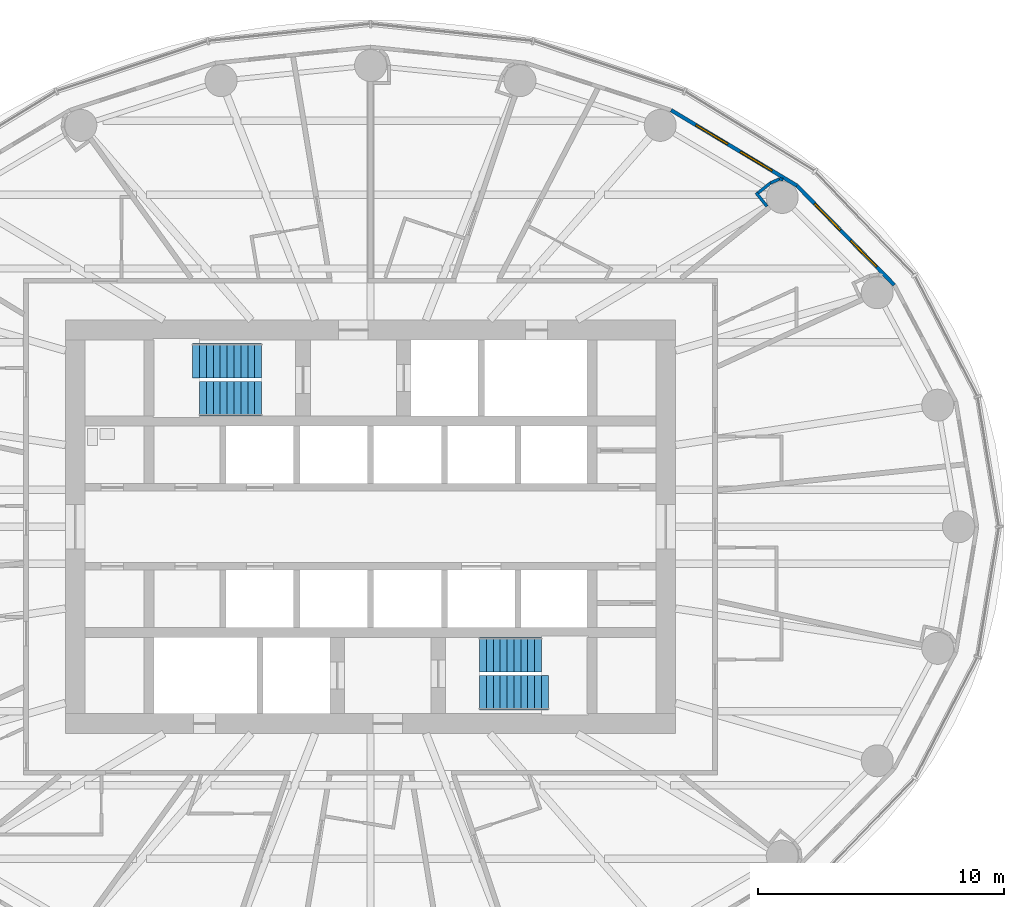
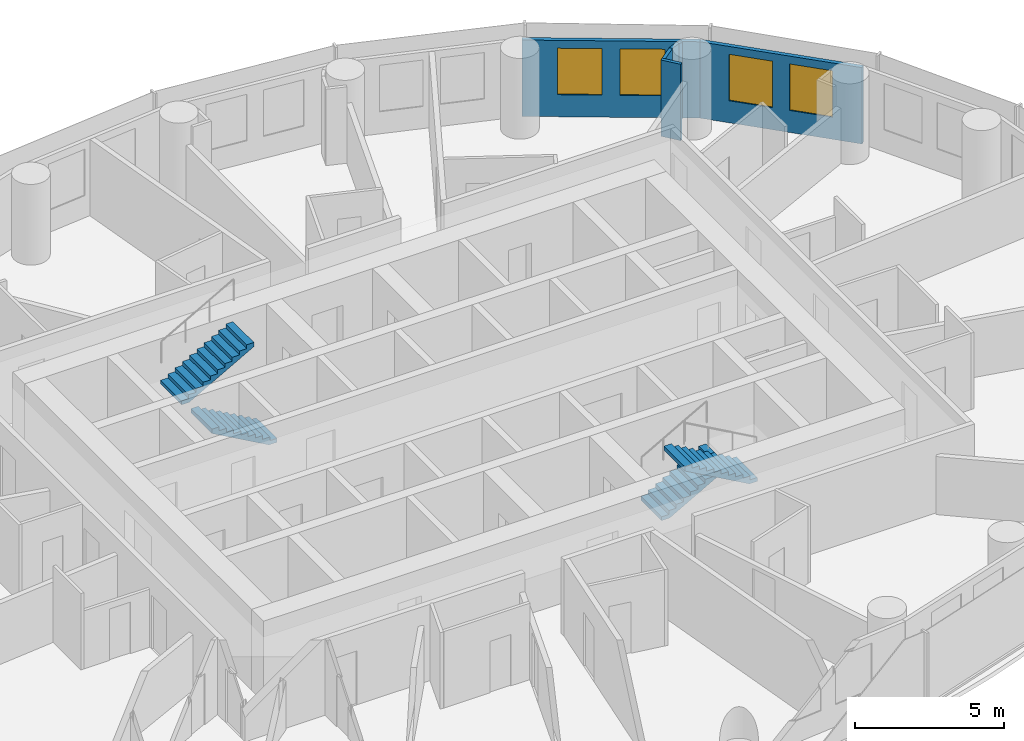
# One storey, part 12 of 14: 6 walls, 4 stair flights, 4 windows, 4 openings, 2 elements without a shape of their own.
"""IFC4 building model written with IfcOpenShell, lengths in metres."""

from ifc_helpers import new_model, si_unit, direction, frame, frame_2d, origin, place, context, subcontext, project, spatial, polyline, rectangle, outline, extrude, material, layer, layer_set, type_object, element, fill, aggregate, save


model = new_model("IFC4")

# Units and contexts
model_context = context("Model", 3, precision=1e-05, world=origin(), true_north=direction((0.0, 1.0)))
body_context = subcontext(model_context, "Body", "Model", "MODEL_VIEW")
ifc_project = project(units=[si_unit("LENGTHUNIT", "METRE"), si_unit("AREAUNIT", "SQUARE_METRE"), si_unit("VOLUMEUNIT", "CUBIC_METRE"), si_unit("PLANEANGLEUNIT", "RADIAN"), si_unit("MASSUNIT", "GRAM", prefix="KILO")], contexts=[model_context])

# Site, building, storey
site_placement = place(None, origin())
site = spatial("IfcSite", under=ifc_project, at=site_placement, CompositionType="ELEMENT")
building_placement = place(site_placement, origin())
building = spatial("IfcBuilding", under=site, at=building_placement, Name="Hankou Lantern Tower", CompositionType="ELEMENT")
storey_placement = place(building_placement, frame((0.0, 0.0, 108.89990234375)))
storey = spatial("IfcBuildingStorey", under=building, at=storey_placement, Name="L27", CompositionType="ELEMENT", Elevation=108.89990234375)

# Wall, openings, windows
ifc_material_1 = material(Name="Aluminium spandrel panel on steel studs", Category="steel")
ifc_layer_1 = layer(ifc_material_1, 0.14990234375)
ifc_layer_set_1 = layer_set([ifc_layer_1], Name="Aluminium spandrel panel on steel studs")
wall_type_1 = type_object("IfcWallType", Name="EW1 INNER SKIN WALL 150", PredefinedType="ELEMENTEDWALL", material=ifc_layer_set_1)
wall_1_placement = place(storey_placement, frame((21.287353515625, 9.83203125, 0.0), z_axis=(0.0, 0.0, 1.0), x_axis=(-0.700136650834, 0.714008872605, 0.0)))
wall_1 = element("IfcWall", 1, at=wall_1_placement, inside=storey, type_object=wall_type_1, Name="Inner skin R03-R04 L27", PredefinedType="ELEMENTEDWALL", context=body_context, shape_type="SweptSolid", body=[
    extrude(rectangle(XDim=5.6494140625, YDim=0.14990234375, at=frame_2d((2.82470703125, 0.0))), origin(), (0.0, 0.0, 1.0), 3.1201171875),
])
opening_1_placement = place(wall_1_placement, frame((1.024658203125, 0.0, 0.89990234375)))
opening_1 = element("IfcOpeningElement", 2, at=opening_1_placement, cuts=wall_1, Name="Opening W2", PredefinedType="OPENING", context=body_context, shape_type="SweptSolid", body=[
    extrude(rectangle(XDim=1.5, YDim=1.89990234375, at=frame_2d((0.75, 0.949951171875))), frame((0.0, 0.0849609375, 0.0), z_axis=(0.0, -1.0, 0.0), x_axis=(1.0, 0.0, 0.0)), (0.0, 0.0, 1.0), 0.169921875),
])
opening_2_placement = place(wall_1_placement, frame((3.12451171875, 0.0, 0.89990234375)))
opening_2 = element("IfcOpeningElement", 3, at=opening_2_placement, cuts=wall_1, Name="Opening W2", PredefinedType="OPENING", context=body_context, shape_type="SweptSolid", body=[
    extrude(rectangle(XDim=1.5, YDim=1.89990234375, at=frame_2d((0.75, 0.949951171875))), frame((0.0, 0.0849609375, 0.0), z_axis=(0.0, -1.0, 0.0), x_axis=(1.0, 0.0, 0.0)), (0.0, 0.0, 1.0), 0.169921875),
])
ifc_material_2 = material(Name="Aluminium framed double glazed window", Category="aluminium")
window_type = type_object("IfcWindowType", Name="W2 GUEST ROOM WINDOW 1500X1900", PartitioningType="DOUBLE_PANEL_VERTICAL", PredefinedType="WINDOW", material=ifc_material_2)
window_1_placement = place(opening_1_placement, origin())
window_1 = element("IfcWindow", 4, at=window_1_placement, inside=storey, type_object=window_type, Name="Window R03.1 L27", OverallHeight=1.89990234375, OverallWidth=1.5, PartitioningType="SINGLE_PANEL", PredefinedType="WINDOW", context=body_context, shape_type="SweptSolid", body=[
    extrude(rectangle(XDim=1.5, YDim=1.89990234375, at=frame_2d((0.75, 0.949951171875))), frame((0.0, 0.030029296875, 0.0), z_axis=(0.0, -1.0, 0.0), x_axis=(1.0, 0.0, 0.0)), (0.0, 0.0, 1.0), 0.06005859375),
])
fill(opening_1, window_1)
window_2_placement = place(opening_2_placement, origin())
window_2 = element("IfcWindow", 5, at=window_2_placement, inside=storey, type_object=window_type, Name="Window R03.2 L27", OverallHeight=1.89990234375, OverallWidth=1.5, PartitioningType="SINGLE_PANEL", PredefinedType="WINDOW", context=body_context, shape_type="SweptSolid", body=[
    extrude(rectangle(XDim=1.5, YDim=1.89990234375, at=frame_2d((0.75, 0.949951171875))), frame((0.0, 0.030029296875, 0.0), z_axis=(0.0, -1.0, 0.0), x_axis=(1.0, 0.0, 0.0)), (0.0, 0.0, 1.0), 0.06005859375),
])
fill(opening_2, window_2)

wall_2_placement = place(storey_placement, frame((17.33203125, 13.86572265625, 0.0), z_axis=(0.0, 0.0, 1.0), x_axis=(-0.857308573723, 0.514802884044, 0.0)))
wall_2 = element("IfcWall", 6, at=wall_2_placement, inside=storey, type_object=wall_type_1, Name="Inner skin R04-R05 L27", PredefinedType="ELEMENTEDWALL", context=body_context, shape_type="SweptSolid", body=[
    extrude(rectangle(XDim=5.961181640625, YDim=0.14990234375, at=frame_2d((2.98046875, 0.0))), origin(), (0.0, 0.0, 1.0), 3.1201171875),
])
opening_3_placement = place(wall_2_placement, frame((1.1806640625, 0.0, 0.89990234375)))
opening_3 = element("IfcOpeningElement", 7, at=opening_3_placement, cuts=wall_2, Name="Opening W2", PredefinedType="OPENING", context=body_context, shape_type="SweptSolid", body=[
    extrude(rectangle(XDim=1.5, YDim=1.89990234375, at=frame_2d((0.75, 0.949951171875))), frame((0.0, 0.0849609375, 0.0), z_axis=(0.0, -1.0, 0.0), x_axis=(1.0, 0.0, 0.0)), (0.0, 0.0, 1.0), 0.169921875),
])
opening_4_placement = place(wall_2_placement, frame((3.280517578125, 0.0, 0.89990234375)))
opening_4 = element("IfcOpeningElement", 8, at=opening_4_placement, cuts=wall_2, Name="Opening W2", PredefinedType="OPENING", context=body_context, shape_type="SweptSolid", body=[
    extrude(rectangle(XDim=1.5, YDim=1.89990234375, at=frame_2d((0.75, 0.949951171875))), frame((0.0, 0.0849609375, 0.0), z_axis=(0.0, -1.0, 0.0), x_axis=(1.0, 0.0, 0.0)), (0.0, 0.0, 1.0), 0.169921875),
])
window_3_placement = place(opening_3_placement, origin())
window_3 = element("IfcWindow", 9, at=window_3_placement, inside=storey, type_object=window_type, Name="Window R04.1 L27", OverallHeight=1.89990234375, OverallWidth=1.5, PartitioningType="SINGLE_PANEL", PredefinedType="WINDOW", context=body_context, shape_type="SweptSolid", body=[
    extrude(rectangle(XDim=1.5, YDim=1.89990234375, at=frame_2d((0.75, 0.949951171875))), frame((0.0, 0.030029296875, 0.0), z_axis=(0.0, -1.0, 0.0), x_axis=(1.0, 0.0, 0.0)), (0.0, 0.0, 1.0), 0.06005859375),
])
fill(opening_3, window_3)
window_4_placement = place(opening_4_placement, origin())
window_4 = element("IfcWindow", 10, at=window_4_placement, inside=storey, type_object=window_type, Name="Window R04.2 L27", OverallHeight=1.89990234375, OverallWidth=1.5, PartitioningType="SINGLE_PANEL", PredefinedType="WINDOW", context=body_context, shape_type="SweptSolid", body=[
    extrude(rectangle(XDim=1.5, YDim=1.89990234375, at=frame_2d((0.75, 0.949951171875))), frame((0.0, 0.030029296875, 0.0), z_axis=(0.0, -1.0, 0.0), x_axis=(1.0, 0.0, 0.0)), (0.0, 0.0, 1.0), 0.06005859375),
])
fill(opening_4, window_4)

# Walls
ifc_material_3 = material(Name="Masonry lightweight concrete block", Category="masonry")
ifc_layer_2 = layer(ifc_material_3, 0.1201171875)
ifc_layer_set_2 = layer_set([ifc_layer_2], Name="Masonry lightweight concrete block")
wall_type_2 = type_object("IfcWallType", Name="IW4 PARTITION 120", PredefinedType="PARTITIONING", material=ifc_layer_set_2)
wall_3_placement = place(storey_placement, frame((16.116943359375, 13.021728515625, 0.0), z_axis=(0.0, 0.0, 1.0), x_axis=(-0.62465344249, 0.780902091677, 0.0)))
element("IfcWall", 11, at=wall_3_placement, inside=storey, type_object=wall_type_2, Name="Column casing R04 return", PredefinedType="PARTITIONING", context=body_context, shape_type="SweptSolid", body=[
    extrude(rectangle(XDim=0.715576171875, YDim=0.1201171875, at=frame_2d((0.35791015625, 0.0))), origin(), (0.0, 0.0, 1.0), 3.1201171875),
])
wall_4_placement = place(storey_placement, frame((15.754150390625, 13.5712890625, 0.0), z_axis=(0.0, 0.0, 1.0), x_axis=(0.780905453553, 0.624649239663, 0.0)))
element("IfcWall", 12, at=wall_4_placement, inside=storey, type_object=wall_type_2, Name="Column casing R04", PredefinedType="PARTITIONING", context=body_context, shape_type="SweptSolid", body=[
    extrude(rectangle(XDim=0.64990234375, YDim=0.1201171875, at=frame_2d((0.324951171875, 0.0))), origin(), (0.0, 0.0, 1.0), 3.1201171875),
])
wall_5_placement = place(storey_placement, frame((16.26171875, 13.977294921875, 0.0), z_axis=(0.0, 0.0, 1.0), x_axis=(0.915985403703, 0.401211590314, 0.0)))
element("IfcWall", 13, at=wall_5_placement, inside=storey, type_object=wall_type_2, Name="Column casing R04", PredefinedType="PARTITIONING", context=body_context, shape_type="SweptSolid", body=[
    extrude(rectangle(XDim=0.391357421875, YDim=0.1201171875, at=frame_2d((0.19580078125, 0.0))), origin(), (0.0, 0.0, 1.0), 3.1201171875),
])
wall_6_placement = place(storey_placement, frame((16.6201171875, 14.13427734375, 0.0), z_axis=(0.0, 0.0, 1.0), x_axis=(0.993941871493, -0.109907033867, 0.0)))
element("IfcWall", 14, at=wall_6_placement, inside=storey, type_object=wall_type_2, Name="Column casing R04", PredefinedType="PARTITIONING", context=body_context, shape_type="SweptSolid", body=[
    extrude(rectangle(XDim=0.1533203125, YDim=0.1201171875, at=frame_2d((0.07666015625, 0.0))), origin(), (0.0, 0.0, 1.0), 3.1201171875),
])

# Stair, stair flight
ifc_material_4 = material(Name="Concrete C40", Category="concrete")
stair_type = type_object("IfcStairType", Name="ST33 CORE STAIR 3300 RISE", PredefinedType="HALF_TURN_STAIR", material=ifc_material_4)
stair_1_placement = place(storey_placement, origin())
stair_1 = element("IfcStair", 15, at=stair_1_placement, inside=storey, type_object=stair_type, Name="Stair STA L27", PredefinedType="HALF_TURN_STAIR")
ifc_material_5 = material(Name="Concrete C40", Category="concrete")
stair_flight_type_1 = type_object("IfcStairFlightType", Name="CF10 CORE STAIR FLIGHT 1400 X 10 RISERS", PredefinedType="STRAIGHT", material=ifc_material_5)
stair_flight_1_placement = place(storey_placement, frame((-4.429931640625, 5.199951171875, 0.0), z_axis=(0.0, 0.0, 1.0), x_axis=(-1.0, 0.0, 0.0)))
stair_flight_1 = element("IfcStairFlight", 16, at=stair_flight_1_placement, type_object=stair_flight_type_1, Name="STA flight 1", NumberOfRisers=10, NumberOfTreads=9, PredefinedType="STRAIGHT", RiserHeight=0.157142857, TreadLength=0.28, context=body_context, shape_type="SweptSolid", body=[
    extrude(outline(polyline([(0.0, 0.0), (0.0, 0.1572265625), (0.280029296875, 0.1572265625), (0.280029296875, 0.314208984375), (0.56005859375, 0.314208984375), (0.56005859375, 0.471435546875), (0.840087890625, 0.471435546875), (0.840087890625, 0.628662109375), (1.1201171875, 0.628662109375), (1.1201171875, 0.78564453125), (1.39990234375, 0.78564453125), (1.39990234375, 0.94287109375), (1.679931640625, 0.94287109375), (1.679931640625, 1.10009765625), (1.9599609375, 1.10009765625), (1.9599609375, 1.257080078125), (2.239990234375, 1.257080078125), (2.239990234375, 1.414306640625), (2.52001953125, 1.414306640625), (2.52001953125, 1.571533203125), (2.52001953125, 1.242431640625), (0.306396484375, 0.0), (0.0, 0.0)])), frame((0.0, 0.699951171875, 0.0), z_axis=(0.0, -1.0, 0.0), x_axis=(1.0, 0.0, 0.0)), (0.0, 0.0, 1.0), 1.39990234375),
])

stair_2_placement = place(storey_placement, origin())
stair_2 = element("IfcStair", 17, at=stair_2_placement, inside=storey, type_object=stair_type, Name="Stair STB L27", PredefinedType="HALF_TURN_STAIR")
stair_flight_2_placement = place(storey_placement, frame((4.429931640625, -5.199951171875, 0.0), z_axis=(0.0, 0.0, 1.0), x_axis=(1.0, 0.0, 0.0)))
stair_flight_2 = element("IfcStairFlight", 18, at=stair_flight_2_placement, type_object=stair_flight_type_1, Name="STB flight 1", NumberOfRisers=10, NumberOfTreads=9, PredefinedType="STRAIGHT", RiserHeight=0.157142857, TreadLength=0.28, context=body_context, shape_type="SweptSolid", body=[
    extrude(outline(polyline([(0.0, 0.0), (0.0, 0.1572265625), (0.280029296875, 0.1572265625), (0.280029296875, 0.314208984375), (0.56005859375, 0.314208984375), (0.56005859375, 0.471435546875), (0.840087890625, 0.471435546875), (0.840087890625, 0.628662109375), (1.1201171875, 0.628662109375), (1.1201171875, 0.78564453125), (1.39990234375, 0.78564453125), (1.39990234375, 0.94287109375), (1.679931640625, 0.94287109375), (1.679931640625, 1.10009765625), (1.9599609375, 1.10009765625), (1.9599609375, 1.257080078125), (2.239990234375, 1.257080078125), (2.239990234375, 1.414306640625), (2.52001953125, 1.414306640625), (2.52001953125, 1.571533203125), (2.52001953125, 1.242431640625), (0.306396484375, 0.0), (0.0, 0.0)])), frame((0.0, 0.699951171875, 0.0), z_axis=(0.0, -1.0, 0.0), x_axis=(1.0, 0.0, 0.0)), (0.0, 0.0, 1.0), 1.39990234375),
])

# Stair flight
ifc_material_6 = material(Name="Concrete C40", Category="concrete")
stair_flight_type_2 = type_object("IfcStairFlightType", Name="CF11 CORE STAIR FLIGHT 1400 X 11 RISERS", PredefinedType="STRAIGHT", material=ifc_material_6)
stair_flight_3_placement = place(storey_placement, frame((-7.22998046875, 6.75, 1.571533203125), z_axis=(0.0, 0.0, 1.0), x_axis=(1.0, 0.0, 0.0)))
stair_flight_3 = element("IfcStairFlight", 19, at=stair_flight_3_placement, type_object=stair_flight_type_2, Name="STA flight 2", NumberOfRisers=11, NumberOfTreads=10, PredefinedType="STRAIGHT", RiserHeight=0.157142857, TreadLength=0.28, context=body_context, shape_type="SweptSolid", body=[
    extrude(outline(polyline([(0.0, 0.0), (0.0, 0.1572265625), (0.280029296875, 0.1572265625), (0.280029296875, 0.314208984375), (0.56005859375, 0.314208984375), (0.56005859375, 0.471435546875), (0.840087890625, 0.471435546875), (0.840087890625, 0.628662109375), (1.1201171875, 0.628662109375), (1.1201171875, 0.78564453125), (1.39990234375, 0.78564453125), (1.39990234375, 0.94287109375), (1.679931640625, 0.94287109375), (1.679931640625, 1.10009765625), (1.9599609375, 1.10009765625), (1.9599609375, 1.257080078125), (2.239990234375, 1.257080078125), (2.239990234375, 1.414306640625), (2.52001953125, 1.414306640625), (2.52001953125, 1.571533203125), (2.800048828125, 1.571533203125), (2.800048828125, 1.728515625), (2.800048828125, 1.3994140625), (0.306396484375, 0.0), (0.0, 0.0)])), frame((0.0, 0.699951171875, 0.0), z_axis=(0.0, -1.0, 0.0), x_axis=(1.0, 0.0, 0.0)), (0.0, 0.0, 1.0), 1.39990234375),
])

aggregate(stair_1, [stair_flight_1, stair_flight_3])

stair_flight_4_placement = place(storey_placement, frame((7.22998046875, -6.75, 1.571533203125), z_axis=(0.0, 0.0, 1.0), x_axis=(-1.0, 0.0, 0.0)))
stair_flight_4 = element("IfcStairFlight", 20, at=stair_flight_4_placement, type_object=stair_flight_type_2, Name="STB flight 2", NumberOfRisers=11, NumberOfTreads=10, PredefinedType="STRAIGHT", RiserHeight=0.157142857, TreadLength=0.28, context=body_context, shape_type="SweptSolid", body=[
    extrude(outline(polyline([(0.0, 0.0), (0.0, 0.1572265625), (0.280029296875, 0.1572265625), (0.280029296875, 0.314208984375), (0.56005859375, 0.314208984375), (0.56005859375, 0.471435546875), (0.840087890625, 0.471435546875), (0.840087890625, 0.628662109375), (1.1201171875, 0.628662109375), (1.1201171875, 0.78564453125), (1.39990234375, 0.78564453125), (1.39990234375, 0.94287109375), (1.679931640625, 0.94287109375), (1.679931640625, 1.10009765625), (1.9599609375, 1.10009765625), (1.9599609375, 1.257080078125), (2.239990234375, 1.257080078125), (2.239990234375, 1.414306640625), (2.52001953125, 1.414306640625), (2.52001953125, 1.571533203125), (2.800048828125, 1.571533203125), (2.800048828125, 1.728515625), (2.800048828125, 1.3994140625), (0.306396484375, 0.0), (0.0, 0.0)])), frame((0.0, 0.699951171875, 0.0), z_axis=(0.0, -1.0, 0.0), x_axis=(1.0, 0.0, 0.0)), (0.0, 0.0, 1.0), 1.39990234375),
])

aggregate(stair_2, [stair_flight_2, stair_flight_4])

save(model, "model.ifc")
